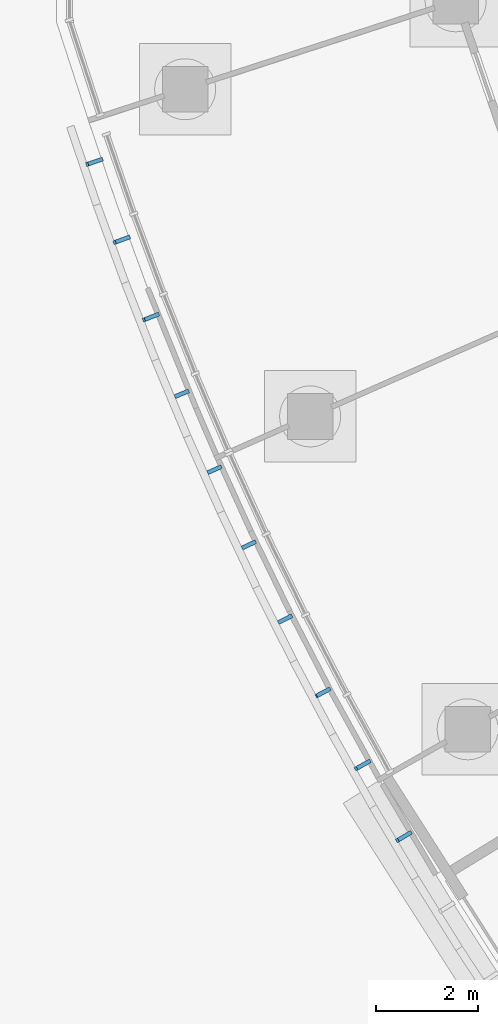
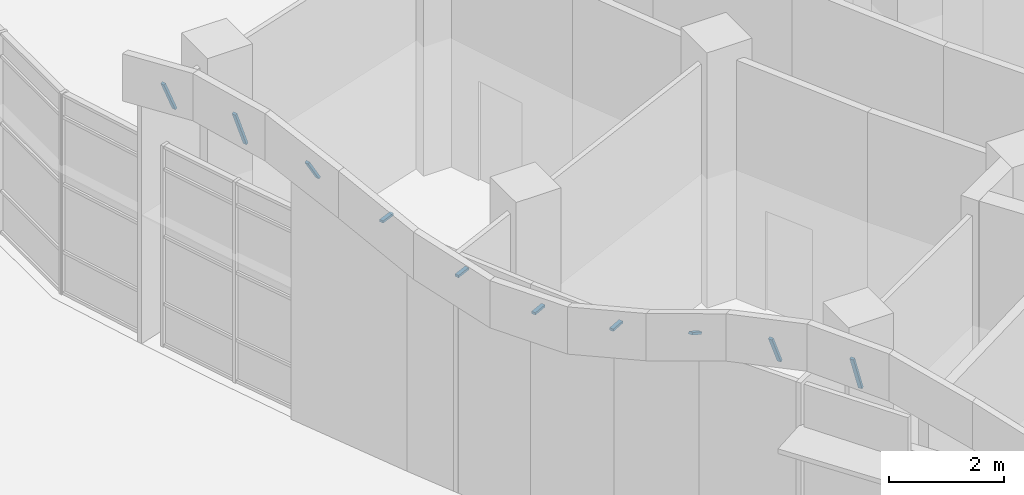
# One storey, part 109 of 146: 10 discrete accessories.
"""IFC4 building model written with IfcOpenShell, lengths in metres."""

from ifc_helpers import new_model, si_unit, direction, frame, origin, origin_2d, place, context, subcontext, project, spatial, rectangle, extrude, material, material_profile, profile_set, type_object, element, save


model = new_model("IFC4")

# Units and contexts
model_context = context("Model", 3, precision=1e-05, world=origin(), true_north=direction((0.0, 1.0)))
body_context = subcontext(model_context, "Body", "Model", "MODEL_VIEW")
ifc_project = project(units=[si_unit("LENGTHUNIT", "METRE"), si_unit("AREAUNIT", "SQUARE_METRE"), si_unit("VOLUMEUNIT", "CUBIC_METRE"), si_unit("PLANEANGLEUNIT", "RADIAN"), si_unit("MASSUNIT", "GRAM", prefix="KILO")], contexts=[model_context])

# Site, building, storey
site_placement = place(None, origin())
site = spatial("IfcSite", under=ifc_project, at=site_placement, CompositionType="ELEMENT")
building_placement = place(site_placement, origin())
building = spatial("IfcBuilding", under=site, at=building_placement, Name="Bougainvillea Quay General Hospital", CompositionType="ELEMENT")
storey_placement = place(building_placement, origin())
storey = spatial("IfcBuildingStorey", under=building, at=storey_placement, Name="L00", CompositionType="ELEMENT", Elevation=0.0)

# Discrete accessories
ifc_material = material(Name="Stainless steel bracket, grade 316", Category="steel")
ifc_material_profile = material_profile(ifc_material, rectangle(XDim=0.080078125, YDim=0.050048828125, at=origin_2d()))
ifc_profile_set = profile_set([ifc_material_profile], Name="Stainless steel bracket, grade 316")
discrete_accessory_type = type_object("IfcDiscreteAccessoryType", Name="Stainless steel stand-off bracket 80x50", PredefinedType="BRACKET", material=ifc_profile_set)
discrete_accessory_1_placement = place(storey_placement, frame((42.8857421875, 103.60009765625, 5.340087890625), z_axis=(-0.383205250774, -0.129381154256, 0.914556861383), x_axis=(0.319888251559, -0.947455279427, 0.0)))
element("IfcDiscreteAccessory", 1, at=discrete_accessory_1_placement, inside=storey, type_object=discrete_accessory_type, Name="Fascia bracket a01 1", PredefinedType="BRACKET", context=body_context, shape_type="SweptSolid", body=[
    extrude(rectangle(XDim=0.080078125, YDim=0.050048828125, at=origin_2d()), origin(), (0.0, 0.0, 1.0), 0.74169921875),
])
discrete_accessory_2_placement = place(storey_placement, frame((43.4228515625, 102.068603515625, 5.340087890625), z_axis=(-0.334934471642, -0.121794353324, 0.934336681932), x_axis=(0.341743063087, -0.939793423488, 0.0)))
element("IfcDiscreteAccessory", 2, at=discrete_accessory_2_placement, inside=storey, type_object=discrete_accessory_type, Name="Fascia bracket a01 2", PredefinedType="BRACKET", context=body_context, shape_type="SweptSolid", body=[
    extrude(rectangle(XDim=0.080078125, YDim=0.050048828125, at=origin_2d()), origin(), (0.0, 0.0, 1.0), 0.841796875),
])
discrete_accessory_3_placement = place(storey_placement, frame((43.995361328125, 100.5498046875, 5.340087890625), z_axis=(-0.494266652196, -0.192694866153, 0.847684590567), x_axis=(0.363232169479, -0.931698658932, 0.0)))
element("IfcDiscreteAccessory", 3, at=discrete_accessory_3_placement, inside=storey, type_object=discrete_accessory_type, Name="Fascia bracket a01 3", PredefinedType="BRACKET", context=body_context, shape_type="SweptSolid", body=[
    extrude(rectangle(XDim=0.080078125, YDim=0.050048828125, at=origin_2d()), origin(), (0.0, 0.0, 1.0), 0.565185546875),
])
for number, where, z_axis, x_axis, name in (
    (4, (44.60302734375, 99.044921875, 5.271240234375), (-0.922932383394, -0.384962096424, 0.0), (0.384962096424, -0.922932383394, 0.0), "Fascia bracket a01 4"),
    (5, (45.245361328125, 97.554443359375, 4.797119140625), (-0.913845102344, -0.406062961772, 0.0), (0.406062961772, -0.913845102344, 0.0), "Fascia bracket a01 5"),
    (6, (45.922119140625, 96.079345703125, 4.668701171875), (-0.903820646406, -0.427911485157, 0.0), (0.427911485157, -0.903820646406, 0.0), "Fascia bracket a01 6"),
):
    element("IfcDiscreteAccessory", number, at=place(storey_placement, frame(where, z_axis=z_axis, x_axis=x_axis)), inside=storey, type_object=discrete_accessory_type, Name=name, PredefinedType="BRACKET", context=body_context, shape_type="SweptSolid", body=[
        extrude(rectangle(XDim=0.080078125, YDim=0.050048828125, at=origin_2d()), origin(), (0.0, 0.0, 1.0), 0.300048828125),
    ])
discrete_accessory_4_placement = place(storey_placement, frame((46.6328125, 94.6201171875, 4.9599609375), z_axis=(-0.893775040547, -0.448515525812, 0.0), x_axis=(0.448515525812, -0.893775040547, 0.0)))
element("IfcDiscreteAccessory", 7, at=discrete_accessory_4_placement, inside=storey, type_object=discrete_accessory_type, Name="Fascia bracket a01 7", PredefinedType="BRACKET", context=body_context, shape_type="SweptSolid", body=[
    extrude(rectangle(XDim=0.080078125, YDim=0.050048828125, at=origin_2d()), origin(), (0.0, 0.0, 1.0), 0.2998046875),
])
discrete_accessory_5_placement = place(storey_placement, frame((47.377197265625, 93.177978515625, 5.340087890625), z_axis=(-0.775415314473, -0.411649051739, 0.478827890043), x_axis=(0.468897286653, -0.883252701422, 0.0)))
element("IfcDiscreteAccessory", 8, at=discrete_accessory_5_placement, inside=storey, type_object=discrete_accessory_type, Name="Fascia bracket a01 8", PredefinedType="BRACKET", context=body_context, shape_type="SweptSolid", body=[
    extrude(rectangle(XDim=0.080078125, YDim=0.050048828125, at=origin_2d()), origin(), (0.0, 0.0, 1.0), 0.341552734375),
])
discrete_accessory_6_placement = place(storey_placement, frame((48.15478515625, 91.75341796875, 5.340087890625), z_axis=(-0.366320246699, -0.205905498145, 0.907420741824), x_axis=(0.489990708417, -0.871727655673, 0.0)))
element("IfcDiscreteAccessory", 9, at=discrete_accessory_6_placement, inside=storey, type_object=discrete_accessory_type, Name="Fascia bracket a01 9", PredefinedType="BRACKET", context=body_context, shape_type="SweptSolid", body=[
    extrude(rectangle(XDim=0.080078125, YDim=0.050048828125, at=origin_2d()), origin(), (0.0, 0.0, 1.0), 0.7138671875),
])
discrete_accessory_7_placement = place(storey_placement, frame((48.96533203125, 90.34716796875, 5.340087890625), z_axis=(-0.303814039289, -0.179931493467, 0.935586279928), x_axis=(0.509579239577, -0.860423732002, 0.0)))
element("IfcDiscreteAccessory", 10, at=discrete_accessory_7_placement, inside=storey, type_object=discrete_accessory_type, Name="Fascia bracket a01 10", PredefinedType="BRACKET", context=body_context, shape_type="SweptSolid", body=[
    extrude(rectangle(XDim=0.080078125, YDim=0.050048828125, at=origin_2d()), origin(), (0.0, 0.0, 1.0), 0.849365234375),
])

save(model, "model.ifc")
